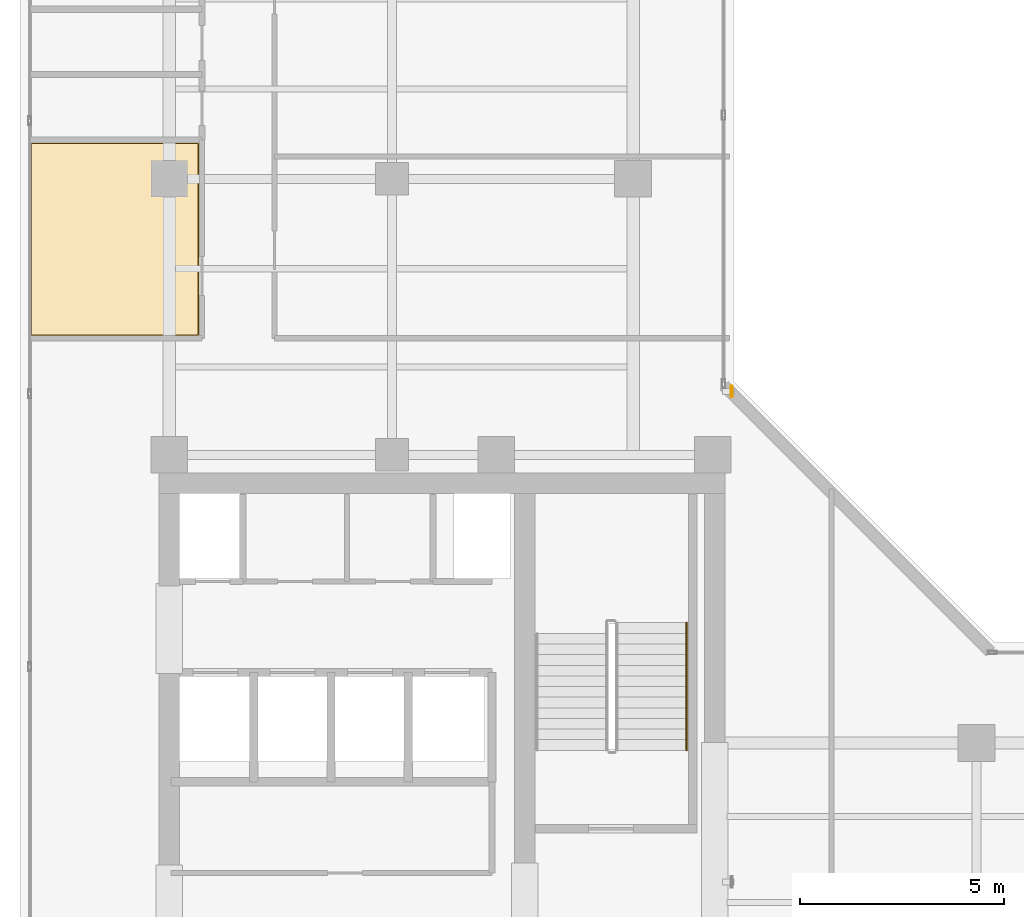
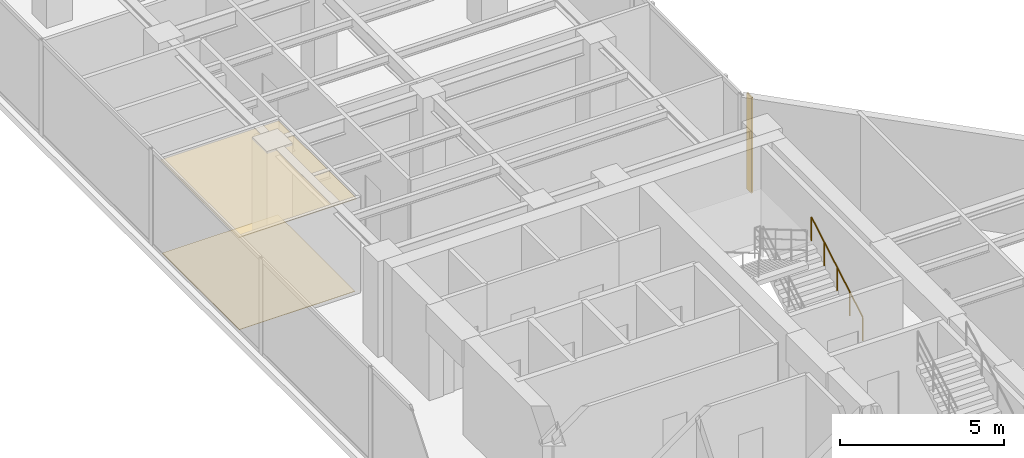
# One storey, part 22 of 24: 2 coverings, 1 railing, 1 shading device.
"""IFC4 building model written with IfcOpenShell, lengths in metres."""

from ifc_helpers import new_model, si_unit, direction, frame, origin, origin_2d, place, context, subcontext, project, spatial, polyline, hollow_rectangle, circle, outline, extrude, material, layer, layer_set, material_profile, profile_set, type_object, element, save


model = new_model("IFC4")

# Units and contexts
model_context = context("Model", 3, precision=1e-05, world=origin(), true_north=direction((0.0, 1.0)))
body_context = subcontext(model_context, "Body", "Model", "MODEL_VIEW")
ifc_project = project(units=[si_unit("LENGTHUNIT", "METRE"), si_unit("AREAUNIT", "SQUARE_METRE"), si_unit("VOLUMEUNIT", "CUBIC_METRE"), si_unit("PLANEANGLEUNIT", "RADIAN"), si_unit("MASSUNIT", "GRAM", prefix="KILO")], contexts=[model_context])

# Site, building, storey
site_placement = place(None, origin())
site = spatial("IfcSite", under=ifc_project, at=site_placement, CompositionType="ELEMENT")
building_placement = place(site_placement, origin())
building = spatial("IfcBuilding", under=site, at=building_placement, Name="Kolvaren Waterfront Exchange", CompositionType="ELEMENT")
storey_placement = place(building_placement, frame((0.0, 0.0, 316.0)))
storey = spatial("IfcBuildingStorey", under=building, at=storey_placement, Name="L81", CompositionType="ELEMENT", Elevation=316.0)

# Covering
ifc_material_1 = material(Name="Mineral fibre acoustic ceiling tile")
ifc_layer_1 = layer(ifc_material_1, 0.02490234375, Name="Mineral fibre acoustic ceiling tile")
ifc_layer_set_1 = layer_set([ifc_layer_1], Name="Mineral fibre acoustic ceiling tile")
covering_type_1 = type_object("IfcCoveringType", Name="ARC-CEIL-ACOUSTIC-25", PredefinedType="CEILING", material=ifc_layer_set_1)
covering_1_placement = place(storey_placement, frame((0.0, 0.0, 3.445068359375)))
element("IfcCovering", 1, at=covering_1_placement, inside=storey, type_object=covering_type_1, Name="L81 acoustic suspended ceiling 1", PredefinedType="CEILING", context=body_context, shape_type="SweptSolid", body=[
    extrude(outline(polyline([(8.18505859375, 27.344970703125), (8.18505859375, 32.10498046875), (4.044921875, 32.10498046875), (4.044921875, 27.344970703125), (8.18505859375, 27.344970703125)])), origin(), (0.0, 0.0, 1.0), 0.02490234375),
])

# Shading device
ifc_material_2 = material(Name="Anodised bronze aluminium 6063-T6", Category="aluminium")
ifc_material_profile = material_profile(ifc_material_2, hollow_rectangle(XDim=0.054931640625, YDim=0.280029296875, WallThickness=0.00439453125, at=origin_2d()), Name="BRZ-FIN-280x55x4.5")
ifc_profile_set = profile_set([ifc_material_profile], Name="Anodised bronze aluminium 6063-T6")
shading_device_type = type_object("IfcShadingDeviceType", Name="ARC-FIN-280", PredefinedType="USERDEFINED", material=ifc_profile_set)
shading_device_placement = place(storey_placement, frame((21.212646484375, 26.0, 0.0), z_axis=(0.0, 0.0, 1.0), x_axis=(1.0, 0.0, 0.0)))
element("IfcShadingDevice", 2, at=shading_device_placement, inside=storey, type_object=shading_device_type, Name="L81 anodised bronze solar shading fin FIN-L81-E2", ObjectType="SOLAR FIN", PredefinedType="USERDEFINED", context=body_context, shape_type="SweptSolid", body=[
    extrude(hollow_rectangle(XDim=0.054931640625, YDim=0.280029296875, WallThickness=0.00439453125, at=origin_2d()), origin(), (0.0, 0.0, 1.0), 3.56005859375),
])

# Covering
ifc_material_3 = material(Name="Slip-resistant porcelain tile")
ifc_layer_2 = layer(ifc_material_3, 0.014892578125, Name="Slip-resistant porcelain tile")
ifc_layer_set_2 = layer_set([ifc_layer_2], Name="Slip-resistant porcelain tile")
covering_type_2 = type_object("IfcCoveringType", Name="ARC-FLR-PORC-15", PredefinedType="FLOORING", material=ifc_layer_set_2)
covering_2_placement = place(storey_placement, origin())
element("IfcCovering", 3, at=covering_2_placement, inside=storey, type_object=covering_type_2, Name="L81 floor finish 1", PredefinedType="FLOORING", context=body_context, shape_type="SweptSolid", body=[
    extrude(outline(polyline([(4.080078125, 32.070068359375), (4.080078125, 27.3798828125), (8.14990234375, 27.3798828125), (8.14990234375, 32.070068359375), (4.080078125, 32.070068359375)])), origin(), (0.0, 0.0, 1.0), 0.014892578125),
])

# Railing
ifc_material_4 = material(Name="Stainless steel 316", Category="steel")
railing_type = type_object("IfcRailingType", Name="ARC-HANDRAIL-900", PredefinedType="HANDRAIL", material=ifc_material_4)
railing_placement = place(storey_placement, frame((20.110107421875, 17.219970703125, 0.152099609375)))
element("IfcRailing", 4, at=railing_placement, inside=storey, type_object=railing_type, Name="L81 ST2 stair handrail 1", PredefinedType="HANDRAIL", context=body_context, shape_type="SweptSolid", body=[
    extrude(circle(Radius=0.02392578125, at=origin_2d()), frame((0.0, 0.0, 0.8759765625), z_axis=(0.0, 0.86330811405, 0.504677223793), x_axis=(-1.0, 0.0, 0.0)), (0.0, 0.0, 1.0), 3.6142578125),
    extrude(circle(Radius=0.02099609375, at=origin_2d()), origin(), (0.0, 0.0, 1.0), 0.851806640625),
    extrude(circle(Radius=0.02099609375, at=origin_2d()), frame((0.0, 0.780029296875, 0.4560546875)), (0.0, 0.0, 1.0), 0.851806640625),
    extrude(circle(Radius=0.02099609375, at=origin_2d()), frame((0.0, 1.56005859375, 0.912109375)), (0.0, 0.0, 1.0), 0.851806640625),
    extrude(circle(Radius=0.02099609375, at=origin_2d()), frame((0.0, 2.340087890625, 1.367919921875)), (0.0, 0.0, 1.0), 0.851806640625),
    extrude(circle(Radius=0.02099609375, at=origin_2d()), frame((0.0, 3.1201171875, 1.823974609375)), (0.0, 0.0, 1.0), 0.851806640625),
])

save(model, "model.ifc")
